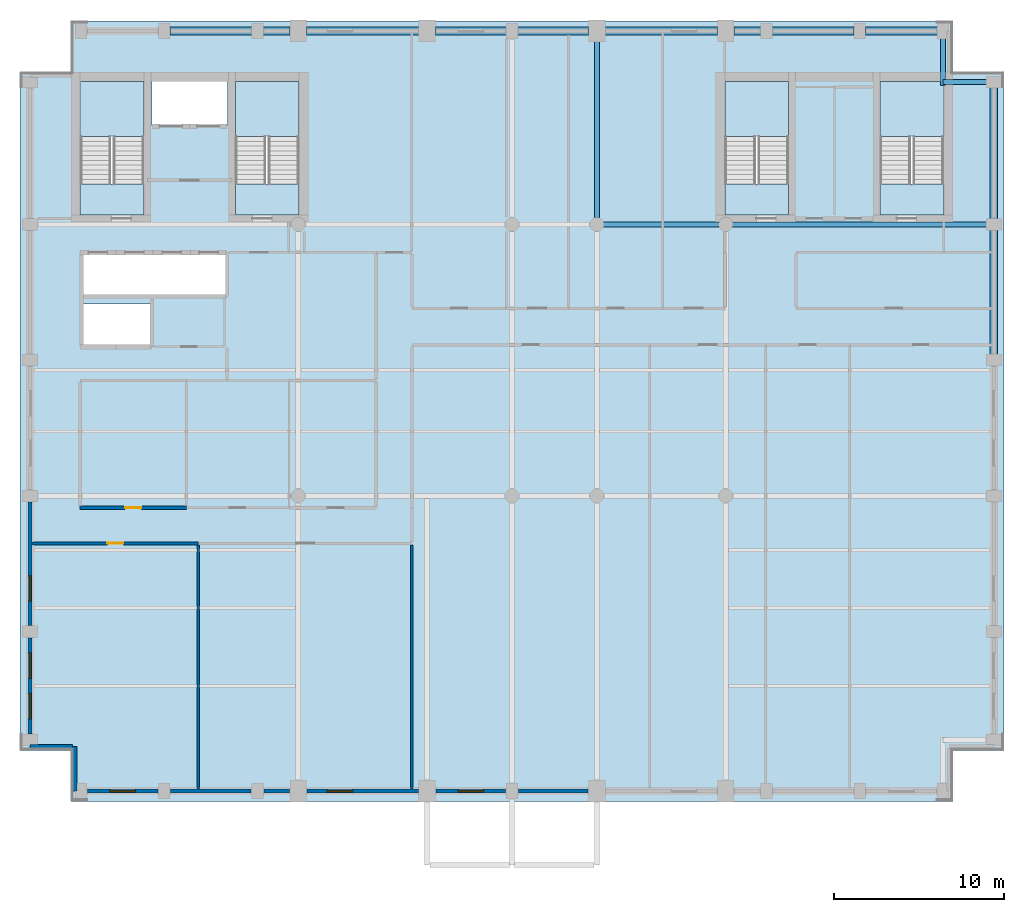
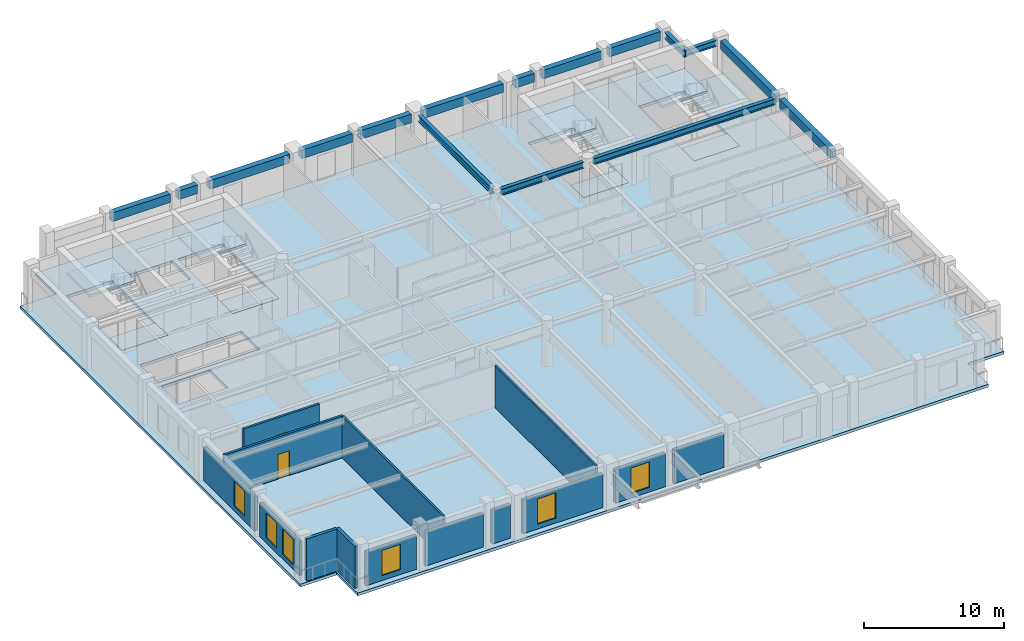
# One storey, part 2 of 9: 16 beams, 14 walls, 9 slabs, 6 windows, 2 doors, 8 openings, 4 elements without a shape of their own.
"""IFC4 building model written with IfcOpenShell, lengths in metres."""

from ifc_helpers import new_model, si_unit, direction, frame, frame_2d, origin, origin_2d, place, context, subcontext, project, spatial, polyline, rectangle, i_section, outline, extrude, material, layer, layer_set, material_profile, profile_set, type_object, element, fill, aggregate, save


model = new_model("IFC4")

# Units and contexts
model_context = context("Model", 3, precision=1e-05, world=origin(), true_north=direction((0.0, 1.0)))
body_context = subcontext(model_context, "Body", "Model", "MODEL_VIEW")
ifc_project = project(units=[si_unit("LENGTHUNIT", "METRE"), si_unit("AREAUNIT", "SQUARE_METRE"), si_unit("VOLUMEUNIT", "CUBIC_METRE"), si_unit("PLANEANGLEUNIT", "RADIAN"), si_unit("MASSUNIT", "GRAM", prefix="KILO")], contexts=[model_context])

# Site, building, storey
site_placement = place(None, origin())
site = spatial("IfcSite", under=ifc_project, at=site_placement, CompositionType="ELEMENT")
building_placement = place(site_placement, origin())
building = spatial("IfcBuilding", under=site, at=building_placement, Name="Sulina Concourse Tower", CompositionType="ELEMENT")
storey_placement = place(building_placement, frame((0.0, 0.0, 276.60009765625)))
storey = spatial("IfcBuildingStorey", under=building, at=storey_placement, Name="L67", CompositionType="ELEMENT", Elevation=276.60009765625)

# Beams
ifc_material_1 = material(Name="Steel S355", Category="steel")
ifc_material_profile_1 = material_profile(ifc_material_1, i_section(OverallWidth=0.300048828125, OverallDepth=0.550048828125, WebThickness=0.014892578125, FlangeThickness=0.029052734375, at=origin_2d()), Name="HE 550 B")
ifc_profile_set_1 = profile_set([ifc_material_profile_1], Name="Steel S355")
beam_type_1 = type_object("IfcBeamType", Name="Floor Primary Girder Zone 4 HE550B", PredefinedType="BEAM", material=ifc_profile_set_1)
beam_1_placement = place(storey_placement, frame((54.39990234375, 42.39990234375, 3.385009765625), z_axis=(1.0, 0.0, 0.0), x_axis=(0.0, 1.0, 0.0)))
element("IfcBeam", 1, at=beam_1_placement, inside=storey, type_object=beam_type_1, Name="TIE-NE-L67", PredefinedType="BEAM", context=body_context, shape_type="SweptSolid", body=[
    extrude(i_section(OverallWidth=0.300048828125, OverallDepth=0.550048828125, WebThickness=0.014892578125, FlangeThickness=0.029052734375, at=origin_2d()), origin(), (0.0, 0.0, 1.0), 2.670166015625),
])
beam_2_placement = place(storey_placement, frame((54.39990234375, 42.199951171875, 3.385009765625), z_axis=(0.0, 1.0, 0.0), x_axis=(-1.0, 0.0, 0.0)))
element("IfcBeam", 2, at=beam_2_placement, inside=storey, type_object=beam_type_1, Name="TIE-NEN-L67", PredefinedType="BEAM", context=body_context, shape_type="SweptSolid", body=[
    extrude(i_section(OverallWidth=0.300048828125, OverallDepth=0.550048828125, WebThickness=0.014892578125, FlangeThickness=0.029052734375, at=origin_2d()), origin(), (0.0, 0.0, 1.0), 2.8701171875),
])
beam_3_placement = place(storey_placement, frame((34.405029296875, 34.0, 3.385009765625), z_axis=(1.0, 0.0, 0.0), x_axis=(0.0, 1.0, 0.0)))
element("IfcBeam", 3, at=beam_3_placement, inside=storey, type_object=beam_type_1, Name="FG-EWN4-L67", PredefinedType="BEAM", context=body_context, shape_type="SweptSolid", body=[
    extrude(i_section(OverallWidth=0.300048828125, OverallDepth=0.550048828125, WebThickness=0.014892578125, FlangeThickness=0.029052734375, at=origin_2d()), origin(), (0.0, 0.0, 1.0), 6.7900390625),
])
beam_4_placement = place(storey_placement, frame((42.0048828125, 34.0, 3.385009765625), z_axis=(1.0, 0.0, 0.0), x_axis=(0.0, 1.0, 0.0)))
element("IfcBeam", 4, at=beam_4_placement, inside=storey, type_object=beam_type_1, Name="FG-EWN5-L67", PredefinedType="BEAM", context=body_context, shape_type="SweptSolid", body=[
    extrude(i_section(OverallWidth=0.300048828125, OverallDepth=0.550048828125, WebThickness=0.014892578125, FlangeThickness=0.029052734375, at=origin_2d()), origin(), (0.0, 0.0, 1.0), 15.065185546875),
])
beam_5_placement = place(storey_placement, frame((34.0, 34.405029296875, 3.385009765625), z_axis=(0.0, 1.0, 0.0), x_axis=(-1.0, 0.0, 0.0)))
element("IfcBeam", 5, at=beam_5_placement, inside=storey, type_object=beam_type_1, Name="FG-NSC-34-L67", PredefinedType="BEAM", context=body_context, shape_type="SweptSolid", body=[
    extrude(i_section(OverallWidth=0.300048828125, OverallDepth=0.550048828125, WebThickness=0.014892578125, FlangeThickness=0.029052734375, at=origin_2d()), origin(), (0.0, 0.0, 1.0), 10.514892578125),
])
ifc_material_2 = material(Name="Precast concrete C50/60", Category="concrete")
ifc_material_profile_2 = material_profile(ifc_material_2, rectangle(XDim=0.449951171875, YDim=0.75, at=origin_2d()), Name="RC 450x750")
ifc_profile_set_2 = profile_set([ifc_material_profile_2], Name="Precast concrete C50/60")
beam_type_2 = type_object("IfcBeamType", Name="Upper Precast Spandrel Edge Beam 450x750", PredefinedType="BEAM", material=ifc_profile_set_2)
beam_6_placement = place(storey_placement, frame((8.830078125, 45.39990234375, 3.284912109375), z_axis=(1.0, 0.0, 0.0), x_axis=(0.0, 1.0, 0.0)))
element("IfcBeam", 6, at=beam_6_placement, inside=storey, type_object=beam_type_2, Name="SP-N2-L67", PredefinedType="BEAM", context=body_context, shape_type="SweptSolid", body=[
    extrude(rectangle(XDim=0.449951171875, YDim=0.75, at=origin_2d()), origin(), (0.0, 0.0, 1.0), 4.83984375),
])
beam_7_placement = place(storey_placement, frame((14.330078125, 45.39990234375, 3.284912109375), z_axis=(1.0, 0.0, 0.0), x_axis=(0.0, 1.0, 0.0)))
element("IfcBeam", 7, at=beam_7_placement, inside=storey, type_object=beam_type_2, Name="SP-N3-L67", PredefinedType="BEAM", context=body_context, shape_type="SweptSolid", body=[
    extrude(rectangle(XDim=0.449951171875, YDim=0.75, at=origin_2d()), origin(), (0.0, 0.0, 1.0), 1.58984375),
])
beam_8_placement = place(storey_placement, frame((16.8798828125, 45.39990234375, 3.284912109375), z_axis=(1.0, 0.0, 0.0), x_axis=(0.0, 1.0, 0.0)))
element("IfcBeam", 8, at=beam_8_placement, inside=storey, type_object=beam_type_2, Name="SP-N4-L67", PredefinedType="BEAM", context=body_context, shape_type="SweptSolid", body=[
    extrude(rectangle(XDim=0.449951171875, YDim=0.75, at=origin_2d()), origin(), (0.0, 0.0, 1.0), 6.64013671875),
])
for number, where, z_axis, x_axis, name in (
    (9, (24.47998046875, 45.39990234375, 3.284912109375), (1.0, 0.0, 0.0), (0.0, 1.0, 0.0), "SP-N5-L67"),
    (10, (29.330078125, 45.39990234375, 3.284912109375), (1.0, 0.0, 0.0), (0.0, 1.0, 0.0), "SP-N6-L67"),
):
    element("IfcBeam", number, at=place(storey_placement, frame(where, z_axis=z_axis, x_axis=x_axis)), inside=storey, type_object=beam_type_2, Name=name, PredefinedType="BEAM", context=body_context, shape_type="SweptSolid", body=[
        extrude(rectangle(XDim=0.449951171875, YDim=0.75, at=origin_2d()), origin(), (0.0, 0.0, 1.0), 4.18994140625),
    ])
beam_9_placement = place(storey_placement, frame((34.47998046875, 45.39990234375, 3.284912109375), z_axis=(1.0, 0.0, 0.0), x_axis=(0.0, 1.0, 0.0)))
element("IfcBeam", 11, at=beam_9_placement, inside=storey, type_object=beam_type_2, Name="SP-N7-L67", PredefinedType="BEAM", context=body_context, shape_type="SweptSolid", body=[
    extrude(rectangle(XDim=0.449951171875, YDim=0.75, at=origin_2d()), origin(), (0.0, 0.0, 1.0), 6.64013671875),
])
beam_10_placement = place(storey_placement, frame((42.080078125, 45.39990234375, 3.284912109375), z_axis=(1.0, 0.0, 0.0), x_axis=(0.0, 1.0, 0.0)))
element("IfcBeam", 12, at=beam_10_placement, inside=storey, type_object=beam_type_2, Name="SP-N8-L67", PredefinedType="BEAM", context=body_context, shape_type="SweptSolid", body=[
    extrude(rectangle(XDim=0.449951171875, YDim=0.75, at=origin_2d()), origin(), (0.0, 0.0, 1.0), 1.58984375),
])
beam_11_placement = place(storey_placement, frame((44.330078125, 45.39990234375, 3.284912109375), z_axis=(1.0, 0.0, 0.0), x_axis=(0.0, 1.0, 0.0)))
element("IfcBeam", 13, at=beam_11_placement, inside=storey, type_object=beam_type_2, Name="SP-N9-L67", PredefinedType="BEAM", context=body_context, shape_type="SweptSolid", body=[
    extrude(rectangle(XDim=0.449951171875, YDim=0.75, at=origin_2d()), origin(), (0.0, 0.0, 1.0), 4.83984375),
])
beam_12_placement = place(storey_placement, frame((49.830078125, 45.39990234375, 3.284912109375), z_axis=(1.0, 0.0, 0.0), x_axis=(0.0, 1.0, 0.0)))
element("IfcBeam", 14, at=beam_12_placement, inside=storey, type_object=beam_type_2, Name="SP-N10-L67", PredefinedType="BEAM", context=body_context, shape_type="SweptSolid", body=[
    extrude(rectangle(XDim=0.449951171875, YDim=0.75, at=origin_2d()), origin(), (0.0, 0.0, 1.0), 4.239990234375),
])
beam_13_placement = place(storey_placement, frame((57.39990234375, 26.330078125, 3.284912109375), z_axis=(0.0, 1.0, 0.0), x_axis=(-1.0, 0.0, 0.0)))
element("IfcBeam", 15, at=beam_13_placement, inside=storey, type_object=beam_type_2, Name="SP-E4-L67", PredefinedType="BEAM", context=body_context, shape_type="SweptSolid", body=[
    extrude(rectangle(XDim=0.449951171875, YDim=0.75, at=origin_2d()), origin(), (0.0, 0.0, 1.0), 7.33984375),
])
beam_14_placement = place(storey_placement, frame((57.39990234375, 34.330078125, 3.284912109375), z_axis=(0.0, 1.0, 0.0), x_axis=(-1.0, 0.0, 0.0)))
element("IfcBeam", 16, at=beam_14_placement, inside=storey, type_object=beam_type_2, Name="SP-E5-L67", PredefinedType="BEAM", context=body_context, shape_type="SweptSolid", body=[
    extrude(rectangle(XDim=0.449951171875, YDim=0.75, at=origin_2d()), origin(), (0.0, 0.0, 1.0), 7.739990234375),
])

# Slabs
ifc_material_3 = material(Name="Concrete C50/60", Category="concrete")
ifc_layer_1 = layer(ifc_material_3, 0.25)
ifc_layer_set_1 = layer_set([ifc_layer_1], Name="Concrete C50/60")
slab_type_1 = type_object("IfcSlabType", Name="High-Rise Composite Floor Slab 250mm", PredefinedType="FLOOR", material=ifc_layer_set_1)
slab_1_placement = place(storey_placement, frame((0.0, 0.0, -0.25)))
element("IfcSlab", 17, at=slab_1_placement, inside=storey, type_object=slab_type_1, Name="L67 structural floor slab", PredefinedType="FLOOR", context=body_context, shape_type="SweptSolid", body=[
    extrude(outline(polyline([(3.0, 0.0), (55.0, 0.0), (55.0, 3.0), (58.0, 3.0), (58.0, 43.0), (55.0, 43.0), (55.0, 46.0), (3.0, 46.0), (3.0, 43.0), (0.0, 43.0), (0.0, 3.0), (3.0, 3.0), (3.0, 0.0)]), holes=[polyline([(7.31005859375, 34.550048828125), (7.31005859375, 42.429931640625), (3.550048828125, 42.429931640625), (3.550048828125, 34.550048828125), (7.31005859375, 34.550048828125)]), polyline([(16.449951171875, 34.550048828125), (16.449951171875, 42.429931640625), (12.68994140625, 42.429931640625), (12.68994140625, 34.550048828125), (16.449951171875, 34.550048828125)]), polyline([(45.31005859375, 34.550048828125), (45.31005859375, 42.429931640625), (41.550048828125, 42.429931640625), (41.550048828125, 34.550048828125), (45.31005859375, 34.550048828125)]), polyline([(54.449951171875, 34.550048828125), (54.449951171875, 42.429931640625), (50.68994140625, 42.429931640625), (50.68994140625, 34.550048828125), (54.449951171875, 34.550048828125)]), polyline([(7.780029296875, 39.830078125), (12.219970703125, 39.830078125), (12.219970703125, 42.449951171875), (7.780029296875, 42.449951171875), (7.780029296875, 39.830078125)]), polyline([(3.739990234375, 26.780029296875), (7.77001953125, 26.780029296875), (7.77001953125, 29.320068359375), (3.739990234375, 29.320068359375), (3.739990234375, 26.780029296875)]), polyline([(3.739990234375, 29.780029296875), (12.10009765625, 29.780029296875), (12.10009765625, 32.3701171875), (3.739990234375, 32.3701171875), (3.739990234375, 29.780029296875)])]), origin(), (0.0, 0.0, 1.0), 0.25),
])
ifc_material_4 = material(Name="Concrete C50/60", Category="concrete")
ifc_layer_2 = layer(ifc_material_4, 0.199951171875)
ifc_layer_set_2 = layer_set([ifc_layer_2], Name="Concrete C50/60")
slab_type_2 = type_object("IfcSlabType", Name="Primary Core Stair Landing Slab 200mm", PredefinedType="LANDING", material=ifc_layer_set_2)
slab_2_placement = place(storey_placement, frame((0.0, 0.0, -0.2001953125)))
element("IfcSlab", 18, at=slab_2_placement, inside=storey, type_object=slab_type_2, Name="L67 ST-1 floor landing slab", PredefinedType="LANDING", context=body_context, shape_type="SweptSolid", body=[
    extrude(outline(polyline([(7.31005859375, 34.550048828125), (7.31005859375, 36.375), (3.550048828125, 36.375), (3.550048828125, 34.550048828125), (7.31005859375, 34.550048828125)])), origin(), (0.0, 0.0, 1.0), 0.2001953125),
])
slab_3_placement = place(storey_placement, frame((0.0, 0.0, -0.2001953125)))
element("IfcSlab", 19, at=slab_3_placement, inside=storey, type_object=slab_type_2, Name="L67 ST-2 floor landing slab", PredefinedType="LANDING", context=body_context, shape_type="SweptSolid", body=[
    extrude(outline(polyline([(16.449951171875, 34.550048828125), (16.449951171875, 36.375), (12.68994140625, 36.375), (12.68994140625, 34.550048828125), (16.449951171875, 34.550048828125)])), origin(), (0.0, 0.0, 1.0), 0.2001953125),
])
slab_4_placement = place(storey_placement, frame((0.0, 0.0, -0.2001953125)))
element("IfcSlab", 20, at=slab_4_placement, inside=storey, type_object=slab_type_2, Name="L67 ST-3 floor landing slab", PredefinedType="LANDING", context=body_context, shape_type="SweptSolid", body=[
    extrude(outline(polyline([(45.31005859375, 34.550048828125), (45.31005859375, 36.375), (41.550048828125, 36.375), (41.550048828125, 34.550048828125), (45.31005859375, 34.550048828125)])), origin(), (0.0, 0.0, 1.0), 0.2001953125),
])
slab_5_placement = place(storey_placement, frame((0.0, 0.0, -0.2001953125)))
element("IfcSlab", 21, at=slab_5_placement, inside=storey, type_object=slab_type_2, Name="L67 ST-4 floor landing slab", PredefinedType="LANDING", context=body_context, shape_type="SweptSolid", body=[
    extrude(outline(polyline([(54.449951171875, 34.550048828125), (54.449951171875, 36.375), (50.68994140625, 36.375), (50.68994140625, 34.550048828125), (54.449951171875, 34.550048828125)])), origin(), (0.0, 0.0, 1.0), 0.2001953125),
])

# Stair, slab
ifc_material_5 = material(Name="Concrete C50/60", Category="concrete")
stair_type_1 = type_object("IfcStairType", Name="Primary Core Dog-Leg Exit Stair 1800mm", PredefinedType="HALF_TURN_STAIR", material=ifc_material_5)
stair_1_placement = place(storey_placement, origin())
stair_1 = element("IfcStair", 22, at=stair_1_placement, inside=storey, type_object=stair_type_1, Name="L67 ST-1", PredefinedType="HALF_TURN_STAIR")
slab_6_placement = place(storey_placement, frame((0.0, 0.0, 1.7998046875)))
slab_6 = element("IfcSlab", 23, at=slab_6_placement, type_object=slab_type_2, Name="ST-1 landing 1", PredefinedType="LANDING", context=body_context, shape_type="SweptSolid", body=[
    extrude(outline(polyline([(7.304931640625, 39.175048828125), (7.304931640625, 42.425048828125), (3.554931640625, 42.425048828125), (3.554931640625, 39.175048828125), (7.304931640625, 39.175048828125)])), origin(), (0.0, 0.0, 1.0), 0.2001953125),
])
aggregate(stair_1, [slab_6])

stair_2_placement = place(storey_placement, origin())
stair_2 = element("IfcStair", 24, at=stair_2_placement, inside=storey, type_object=stair_type_1, Name="L67 ST-2", PredefinedType="HALF_TURN_STAIR")
slab_7_placement = place(storey_placement, frame((0.0, 0.0, 1.7998046875)))
slab_7 = element("IfcSlab", 25, at=slab_7_placement, type_object=slab_type_2, Name="ST-2 landing 1", PredefinedType="LANDING", context=body_context, shape_type="SweptSolid", body=[
    extrude(outline(polyline([(16.445068359375, 39.175048828125), (16.445068359375, 42.425048828125), (12.695068359375, 42.425048828125), (12.695068359375, 39.175048828125), (16.445068359375, 39.175048828125)])), origin(), (0.0, 0.0, 1.0), 0.2001953125),
])
aggregate(stair_2, [slab_7])

ifc_material_6 = material(Name="Concrete C50/60", Category="concrete")
stair_type_2 = type_object("IfcStairType", Name="Portal & Podium Core Exit Stair 1820mm", PredefinedType="HALF_TURN_STAIR", material=ifc_material_6)
stair_3_placement = place(storey_placement, origin())
stair_3 = element("IfcStair", 26, at=stair_3_placement, inside=storey, type_object=stair_type_2, Name="L67 ST-3", PredefinedType="HALF_TURN_STAIR")
slab_8_placement = place(storey_placement, frame((0.0, 0.0, 1.7998046875)))
slab_8 = element("IfcSlab", 27, at=slab_8_placement, type_object=slab_type_2, Name="ST-3 landing 1", PredefinedType="LANDING", context=body_context, shape_type="SweptSolid", body=[
    extrude(outline(polyline([(45.304931640625, 39.175048828125), (45.304931640625, 42.425048828125), (41.554931640625, 42.425048828125), (41.554931640625, 39.175048828125), (45.304931640625, 39.175048828125)])), origin(), (0.0, 0.0, 1.0), 0.2001953125),
])
aggregate(stair_3, [slab_8])

stair_4_placement = place(storey_placement, origin())
stair_4 = element("IfcStair", 28, at=stair_4_placement, inside=storey, type_object=stair_type_2, Name="L67 ST-4", PredefinedType="HALF_TURN_STAIR")
slab_9_placement = place(storey_placement, frame((0.0, 0.0, 1.7998046875)))
slab_9 = element("IfcSlab", 29, at=slab_9_placement, type_object=slab_type_2, Name="ST-4 landing 1", PredefinedType="LANDING", context=body_context, shape_type="SweptSolid", body=[
    extrude(outline(polyline([(54.445068359375, 39.175048828125), (54.445068359375, 42.425048828125), (50.695068359375, 42.425048828125), (50.695068359375, 39.175048828125), (54.445068359375, 39.175048828125)])), origin(), (0.0, 0.0, 1.0), 0.2001953125),
])
aggregate(stair_4, [slab_9])

# Wall, opening, window
ifc_material_7 = material(Name="Precast concrete C50/60", Category="concrete")
ifc_layer_3 = layer(ifc_material_7, 0.239990234375)
ifc_layer_set_3 = layer_set([ifc_layer_3], Name="Precast concrete C50/60")
wall_type_1 = type_object("IfcWallType", Name="Crown Precast Masonry-Frame Facade Wall 240mm", PredefinedType="SOLIDWALL", material=ifc_layer_set_3)
wall_1_placement = place(storey_placement, frame((8.1298828125, 0.60009765625, 0.0), z_axis=(0.0, 0.0, 1.0), x_axis=(-1.0, 0.0, 0.0)))
wall_1 = element("IfcWall", 30, at=wall_1_placement, inside=storey, type_object=wall_type_1, Name="L67 exterior precast wall S1", PredefinedType="SOLIDWALL", context=body_context, shape_type="SweptSolid", body=[
    extrude(rectangle(XDim=4.159912109375, YDim=0.239990234375, at=frame_2d((2.080078125, 0.0))), origin(), (0.0, 0.0, 1.0), 2.909912109375),
])
opening_1_placement = place(wall_1_placement, frame((1.330078125, 0.0, 0.419921875)))
opening_1 = element("IfcOpeningElement", 31, at=opening_1_placement, cuts=wall_1, Name="Opening WN-71", PredefinedType="OPENING", context=body_context, shape_type="SweptSolid", body=[
    extrude(rectangle(XDim=1.5, YDim=2.199951171875, at=frame_2d((0.75, 1.10009765625))), frame((0.0, 0.1298828125, 0.0), z_axis=(0.0, -1.0, 0.0), x_axis=(1.0, 0.0, 0.0)), (0.0, 0.0, 1.0), 0.260009765625),
])
ifc_material_8 = material(Name="Low-E solar double glazing in bronze aluminium", Category="aluminium")
window_type = type_object("IfcWindowType", Name="Punched Masonry-Frame Window 1500x2200", PartitioningType="SINGLE_PANEL", PredefinedType="WINDOW", material=ifc_material_8)
window_1_placement = place(opening_1_placement, origin())
window_1 = element("IfcWindow", 32, at=window_1_placement, inside=storey, type_object=window_type, Name="L67 punched window S1-1", OverallHeight=2.199951171875, OverallWidth=1.5, PartitioningType="SINGLE_PANEL", PredefinedType="WINDOW", context=body_context, shape_type="SweptSolid", body=[
    extrude(rectangle(XDim=1.5, YDim=2.199951171875, at=frame_2d((0.75, 1.10009765625))), frame((0.0, 0.030029296875, 0.0), z_axis=(0.0, -1.0, 0.0), x_axis=(1.0, 0.0, 0.0)), (0.0, 0.0, 1.0), 0.06005859375),
])
fill(opening_1, window_1)

# Walls
wall_2_placement = place(storey_placement, frame((13.6298828125, 0.60009765625, 0.0), z_axis=(0.0, 0.0, 1.0), x_axis=(-1.0, 0.0, 0.0)))
element("IfcWall", 33, at=wall_2_placement, inside=storey, type_object=wall_type_1, Name="L67 exterior precast wall S2", PredefinedType="SOLIDWALL", context=body_context, shape_type="SweptSolid", body=[
    extrude(rectangle(XDim=4.759765625, YDim=0.239990234375, at=frame_2d((2.3798828125, 0.0))), origin(), (0.0, 0.0, 1.0), 2.909912109375),
])
wall_3_placement = place(storey_placement, frame((15.8798828125, 0.60009765625, 0.0), z_axis=(0.0, 0.0, 1.0), x_axis=(-1.0, 0.0, 0.0)))
element("IfcWall", 34, at=wall_3_placement, inside=storey, type_object=wall_type_1, Name="L67 exterior precast wall S3", PredefinedType="SOLIDWALL", context=body_context, shape_type="SweptSolid", body=[
    extrude(rectangle(XDim=1.509765625, YDim=0.239990234375, at=frame_2d((0.7548828125, 0.0))), origin(), (0.0, 0.0, 1.0), 2.909912109375),
])

# Wall, opening, window
wall_4_placement = place(storey_placement, frame((23.47998046875, 0.60009765625, 0.0), z_axis=(0.0, 0.0, 1.0), x_axis=(-1.0, 0.0, 0.0)))
wall_4 = element("IfcWall", 35, at=wall_4_placement, inside=storey, type_object=wall_type_1, Name="L67 exterior precast wall S4", PredefinedType="SOLIDWALL", context=body_context, shape_type="SweptSolid", body=[
    extrude(rectangle(XDim=6.56005859375, YDim=0.239990234375, at=frame_2d((3.280029296875, 0.0))), origin(), (0.0, 0.0, 1.0), 2.909912109375),
])
opening_2_placement = place(wall_4_placement, frame((3.873291015625, 0.0, 0.419921875)))
opening_2 = element("IfcOpeningElement", 36, at=opening_2_placement, cuts=wall_4, Name="Opening WN-71", PredefinedType="OPENING", context=body_context, shape_type="SweptSolid", body=[
    extrude(rectangle(XDim=1.5, YDim=2.199951171875, at=frame_2d((0.75, 1.10009765625))), frame((0.0, 0.1298828125, 0.0), z_axis=(0.0, -1.0, 0.0), x_axis=(1.0, 0.0, 0.0)), (0.0, 0.0, 1.0), 0.260009765625),
])
window_2_placement = place(opening_2_placement, origin())
window_2 = element("IfcWindow", 37, at=window_2_placement, inside=storey, type_object=window_type, Name="L67 punched window S4-1", OverallHeight=2.199951171875, OverallWidth=1.5, PartitioningType="SINGLE_PANEL", PredefinedType="WINDOW", context=body_context, shape_type="SweptSolid", body=[
    extrude(rectangle(XDim=1.5, YDim=2.199951171875, at=frame_2d((0.75, 1.10009765625))), frame((0.0, 0.030029296875, 0.0), z_axis=(0.0, -1.0, 0.0), x_axis=(1.0, 0.0, 0.0)), (0.0, 0.0, 1.0), 0.06005859375),
])
fill(opening_2, window_2)

wall_5_placement = place(storey_placement, frame((28.6298828125, 0.60009765625, 0.0), z_axis=(0.0, 0.0, 1.0), x_axis=(-1.0, 0.0, 0.0)))
wall_5 = element("IfcWall", 38, at=wall_5_placement, inside=storey, type_object=wall_type_1, Name="L67 exterior precast wall S5", PredefinedType="SOLIDWALL", context=body_context, shape_type="SweptSolid", body=[
    extrude(rectangle(XDim=4.10986328125, YDim=0.239990234375, at=frame_2d((2.054931640625, 0.0))), origin(), (0.0, 0.0, 1.0), 2.909912109375),
])
opening_3_placement = place(wall_5_placement, frame((1.304931640625, 0.0, 0.419921875)))
opening_3 = element("IfcOpeningElement", 39, at=opening_3_placement, cuts=wall_5, Name="Opening WN-71", PredefinedType="OPENING", context=body_context, shape_type="SweptSolid", body=[
    extrude(rectangle(XDim=1.5, YDim=2.199951171875, at=frame_2d((0.75, 1.10009765625))), frame((0.0, 0.1298828125, 0.0), z_axis=(0.0, -1.0, 0.0), x_axis=(1.0, 0.0, 0.0)), (0.0, 0.0, 1.0), 0.260009765625),
])
window_3_placement = place(opening_3_placement, origin())
window_3 = element("IfcWindow", 40, at=window_3_placement, inside=storey, type_object=window_type, Name="L67 punched window S5-1", OverallHeight=2.199951171875, OverallWidth=1.5, PartitioningType="SINGLE_PANEL", PredefinedType="WINDOW", context=body_context, shape_type="SweptSolid", body=[
    extrude(rectangle(XDim=1.5, YDim=2.199951171875, at=frame_2d((0.75, 1.10009765625))), frame((0.0, 0.030029296875, 0.0), z_axis=(0.0, -1.0, 0.0), x_axis=(1.0, 0.0, 0.0)), (0.0, 0.0, 1.0), 0.06005859375),
])
fill(opening_3, window_3)

# Wall
wall_6_placement = place(storey_placement, frame((33.47998046875, 0.60009765625, 0.0), z_axis=(0.0, 0.0, 1.0), x_axis=(-1.0, 0.0, 0.0)))
element("IfcWall", 41, at=wall_6_placement, inside=storey, type_object=wall_type_1, Name="L67 exterior precast wall S6", PredefinedType="SOLIDWALL", context=body_context, shape_type="SweptSolid", body=[
    extrude(rectangle(XDim=4.10986328125, YDim=0.239990234375, at=frame_2d((2.054931640625, 0.0))), origin(), (0.0, 0.0, 1.0), 2.909912109375),
])

# Wall, openings, windows
wall_7_placement = place(storey_placement, frame((0.60009765625, 3.969970703125, 0.0), z_axis=(0.0, 0.0, 1.0), x_axis=(0.0, 1.0, 0.0)))
wall_7 = element("IfcWall", 42, at=wall_7_placement, inside=storey, type_object=wall_type_1, Name="L67 exterior precast wall W1", PredefinedType="SOLIDWALL", context=body_context, shape_type="SweptSolid", body=[
    extrude(rectangle(XDim=5.659912109375, YDim=0.239990234375, at=frame_2d((2.830078125, 0.0))), origin(), (0.0, 0.0, 1.0), 2.909912109375),
])
opening_4_placement = place(wall_7_placement, frame((0.88671875, 0.0, 0.419921875)))
opening_4 = element("IfcOpeningElement", 43, at=opening_4_placement, cuts=wall_7, Name="Opening WN-71", PredefinedType="OPENING", context=body_context, shape_type="SweptSolid", body=[
    extrude(rectangle(XDim=1.5, YDim=2.199951171875, at=frame_2d((0.75, 1.10009765625))), frame((0.0, 0.1298828125, 0.0), z_axis=(0.0, -1.0, 0.0), x_axis=(1.0, 0.0, 0.0)), (0.0, 0.0, 1.0), 0.260009765625),
])
opening_5_placement = place(wall_7_placement, frame((3.273193359375, 0.0, 0.419921875)))
opening_5 = element("IfcOpeningElement", 44, at=opening_5_placement, cuts=wall_7, Name="Opening WN-71", PredefinedType="OPENING", context=body_context, shape_type="SweptSolid", body=[
    extrude(rectangle(XDim=1.5, YDim=2.199951171875, at=frame_2d((0.75, 1.10009765625))), frame((0.0, 0.1298828125, 0.0), z_axis=(0.0, -1.0, 0.0), x_axis=(1.0, 0.0, 0.0)), (0.0, 0.0, 1.0), 0.260009765625),
])
window_4_placement = place(opening_4_placement, origin())
window_4 = element("IfcWindow", 45, at=window_4_placement, inside=storey, type_object=window_type, Name="L67 punched window W1-1", OverallHeight=2.199951171875, OverallWidth=1.5, PartitioningType="SINGLE_PANEL", PredefinedType="WINDOW", context=body_context, shape_type="SweptSolid", body=[
    extrude(rectangle(XDim=1.5, YDim=2.199951171875, at=frame_2d((0.75, 1.10009765625))), frame((0.0, 0.030029296875, 0.0), z_axis=(0.0, -1.0, 0.0), x_axis=(1.0, 0.0, 0.0)), (0.0, 0.0, 1.0), 0.06005859375),
])
fill(opening_4, window_4)
window_5_placement = place(opening_5_placement, origin())
window_5 = element("IfcWindow", 46, at=window_5_placement, inside=storey, type_object=window_type, Name="L67 punched window W1-2", OverallHeight=2.199951171875, OverallWidth=1.5, PartitioningType="SINGLE_PANEL", PredefinedType="WINDOW", context=body_context, shape_type="SweptSolid", body=[
    extrude(rectangle(XDim=1.5, YDim=2.199951171875, at=frame_2d((0.75, 1.10009765625))), frame((0.0, 0.030029296875, 0.0), z_axis=(0.0, -1.0, 0.0), x_axis=(1.0, 0.0, 0.0)), (0.0, 0.0, 1.0), 0.06005859375),
])
fill(opening_5, window_5)

# Wall, opening, window
wall_8_placement = place(storey_placement, frame((0.60009765625, 10.3701171875, 0.0), z_axis=(0.0, 0.0, 1.0), x_axis=(0.0, 1.0, 0.0)))
wall_8 = element("IfcWall", 47, at=wall_8_placement, inside=storey, type_object=wall_type_1, Name="L67 exterior precast wall W2", PredefinedType="SOLIDWALL", context=body_context, shape_type="SweptSolid", body=[
    extrude(rectangle(XDim=7.259765625, YDim=0.239990234375, at=frame_2d((3.6298828125, 0.0))), origin(), (0.0, 0.0, 1.0), 2.909912109375),
])
opening_6_placement = place(wall_8_placement, frame((1.419921875, 0.0, 0.419921875)))
opening_6 = element("IfcOpeningElement", 48, at=opening_6_placement, cuts=wall_8, Name="Opening WN-71", PredefinedType="OPENING", context=body_context, shape_type="SweptSolid", body=[
    extrude(rectangle(XDim=1.5, YDim=2.199951171875, at=frame_2d((0.75, 1.10009765625))), frame((0.0, 0.1298828125, 0.0), z_axis=(0.0, -1.0, 0.0), x_axis=(1.0, 0.0, 0.0)), (0.0, 0.0, 1.0), 0.260009765625),
])
window_6_placement = place(opening_6_placement, origin())
window_6 = element("IfcWindow", 49, at=window_6_placement, inside=storey, type_object=window_type, Name="L67 punched window W2-1", OverallHeight=2.199951171875, OverallWidth=1.5, PartitioningType="SINGLE_PANEL", PredefinedType="WINDOW", context=body_context, shape_type="SweptSolid", body=[
    extrude(rectangle(XDim=1.5, YDim=2.199951171875, at=frame_2d((0.75, 1.10009765625))), frame((0.0, 0.030029296875, 0.0), z_axis=(0.0, -1.0, 0.0), x_axis=(1.0, 0.0, 0.0)), (0.0, 0.0, 1.0), 0.06005859375),
])
fill(opening_6, window_6)

# Walls
wall_9_placement = place(storey_placement, frame((3.22998046875, 0.60009765625, 0.0), z_axis=(0.0, 0.0, 1.0), x_axis=(0.0, 1.0, 0.0)))
element("IfcWall", 50, at=wall_9_placement, inside=storey, type_object=wall_type_1, Name="L67 exterior precast wall CSW1", PredefinedType="SOLIDWALL", context=body_context, shape_type="SweptSolid", body=[
    extrude(rectangle(XDim=2.6298828125, YDim=0.239990234375, at=frame_2d((1.31494140625, 0.0))), origin(), (0.0, 0.0, 1.0), 3.659912109375),
])
wall_10_placement = place(storey_placement, frame((3.10498046875, 3.22998046875, 0.0), z_axis=(0.0, 0.0, 1.0), x_axis=(-1.0, 0.0, 0.0)))
element("IfcWall", 51, at=wall_10_placement, inside=storey, type_object=wall_type_1, Name="L67 exterior precast wall CSW2", PredefinedType="SOLIDWALL", context=body_context, shape_type="SweptSolid", body=[
    extrude(rectangle(XDim=2.5048828125, YDim=0.239990234375, at=frame_2d((1.25244140625, 0.0))), origin(), (0.0, 0.0, 1.0), 3.659912109375),
])
ifc_material_9 = material(Name="Gypsum board on steel stud", Category="steel")
ifc_layer_4 = layer(ifc_material_9, 0.14990234375)
ifc_layer_set_4 = layer_set([ifc_layer_4], Name="Gypsum board on steel stud")
wall_type_2 = type_object("IfcWallType", Name="Inter-Tenancy Acoustic Partition 150mm", PredefinedType="PARTITIONING", material=ifc_layer_set_4)
for number, where, z_axis, x_axis, name in (
    (52, (10.52001953125, 0.719970703125, 0.0), (0.0, 0.0, 1.0), (0.0, 1.0, 0.0), "L67 interior partition 031"),
    (53, (23.10009765625, 0.719970703125, 0.0), (0.0, 0.0, 1.0), (0.0, 1.0, 0.0), "L67 interior partition 039"),
):
    element("IfcWall", number, at=place(storey_placement, frame(where, z_axis=z_axis, x_axis=x_axis)), inside=storey, type_object=wall_type_2, Name=name, PredefinedType="PARTITIONING", context=body_context, shape_type="SweptSolid", body=[
        extrude(rectangle(XDim=14.39013671875, YDim=0.14990234375, at=frame_2d((7.195068359375, 0.0))), origin(), (0.0, 0.0, 1.0), 3.659912109375),
    ])

# Wall, opening, door
ifc_material_10 = material(Name="Gypsum board on steel stud", Category="steel")
ifc_layer_5 = layer(ifc_material_10, 0.179931640625)
ifc_layer_set_5 = layer_set([ifc_layer_5], Name="Gypsum board on steel stud")
wall_type_3 = type_object("IfcWallType", Name="Protected Corridor & Riser Partition 180mm", PredefinedType="PARTITIONING", material=ifc_layer_set_5)
wall_11_placement = place(storey_placement, frame((0.719970703125, 15.199951171875, 0.0), z_axis=(0.0, 0.0, 1.0), x_axis=(1.0, 0.0, 0.0)))
wall_11 = element("IfcWall", 54, at=wall_11_placement, inside=storey, type_object=wall_type_3, Name="L67 interior partition 001", PredefinedType="PARTITIONING", context=body_context, shape_type="SweptSolid", body=[
    extrude(rectangle(XDim=9.800048828125, YDim=0.179931640625, at=frame_2d((4.89990234375, 0.0))), origin(), (0.0, 0.0, 1.0), 3.659912109375),
])
opening_7_placement = place(wall_11_placement, frame((4.425048828125, 0.0, 0.0)))
opening_7 = element("IfcOpeningElement", 55, at=opening_7_placement, cuts=wall_11, Name="Opening DR-19", PredefinedType="OPENING", context=body_context, shape_type="SweptSolid", body=[
    extrude(rectangle(XDim=0.949951171875, YDim=2.14990234375, at=frame_2d((0.47509765625, 1.074951171875))), frame((0.0, 0.099853515625, 0.0), z_axis=(0.0, -1.0, 0.0), x_axis=(1.0, 0.0, 0.0)), (0.0, 0.0, 1.0), 0.199951171875),
])
ifc_material_11 = material(Name="Oak-veneered acoustic timber leaf", Category="wood")
ifc_layer_6 = layer(ifc_material_11, 0.050048828125)
ifc_layer_set_6 = layer_set([ifc_layer_6], Name="Oak-veneered acoustic timber leaf")
door_type = type_object("IfcDoorType", Name="Cellular Office & Meeting Door 950x2150", OperationType="NOTDEFINED", PredefinedType="DOOR", material=ifc_layer_set_6)
door_1_placement = place(opening_7_placement, origin())
door_1 = element("IfcDoor", 56, at=door_1_placement, inside=storey, type_object=door_type, Name="L67 interior door L67-S01", OperationType="SINGLE_SWING_LEFT", OverallHeight=2.14990234375, OverallWidth=0.949951171875, PredefinedType="DOOR", context=body_context, shape_type="SweptSolid", body=[
    extrude(rectangle(XDim=0.949951171875, YDim=2.14990234375, at=frame_2d((0.47509765625, 1.074951171875))), frame((0.0, 0.02490234375, 0.0), z_axis=(0.0, -1.0, 0.0), x_axis=(1.0, 0.0, 0.0)), (0.0, 0.0, 1.0), 0.050048828125),
])
fill(opening_7, door_1)

wall_12_placement = place(storey_placement, frame((3.550048828125, 17.300048828125, 0.0), z_axis=(0.0, 0.0, 1.0), x_axis=(1.0, 0.0, 0.0)))
wall_12 = element("IfcWall", 57, at=wall_12_placement, inside=storey, type_object=wall_type_3, Name="L67 interior partition 003", PredefinedType="PARTITIONING", context=body_context, shape_type="SweptSolid", body=[
    extrude(rectangle(XDim=6.25, YDim=0.179931640625, at=frame_2d((3.125, 0.0))), origin(), (0.0, 0.0, 1.0), 3.659912109375),
])
opening_8_placement = place(wall_12_placement, frame((2.64990234375, 0.0, 0.0)))
opening_8 = element("IfcOpeningElement", 58, at=opening_8_placement, cuts=wall_12, Name="Opening DR-19", PredefinedType="OPENING", context=body_context, shape_type="SweptSolid", body=[
    extrude(rectangle(XDim=0.949951171875, YDim=2.14990234375, at=frame_2d((0.47509765625, 1.074951171875))), frame((0.0, 0.099853515625, 0.0), z_axis=(0.0, -1.0, 0.0), x_axis=(1.0, 0.0, 0.0)), (0.0, 0.0, 1.0), 0.199951171875),
])
door_2_placement = place(opening_8_placement, origin())
door_2 = element("IfcDoor", 59, at=door_2_placement, inside=storey, type_object=door_type, Name="L67 interior door L67-LR-MRG1", OperationType="SINGLE_SWING_LEFT", OverallHeight=2.14990234375, OverallWidth=0.949951171875, PredefinedType="DOOR", context=body_context, shape_type="SweptSolid", body=[
    extrude(rectangle(XDim=0.949951171875, YDim=2.14990234375, at=frame_2d((0.47509765625, 1.074951171875))), frame((0.0, 0.02490234375, 0.0), z_axis=(0.0, -1.0, 0.0), x_axis=(1.0, 0.0, 0.0)), (0.0, 0.0, 1.0), 0.050048828125),
])
fill(opening_8, door_2)

save(model, "model.ifc")
